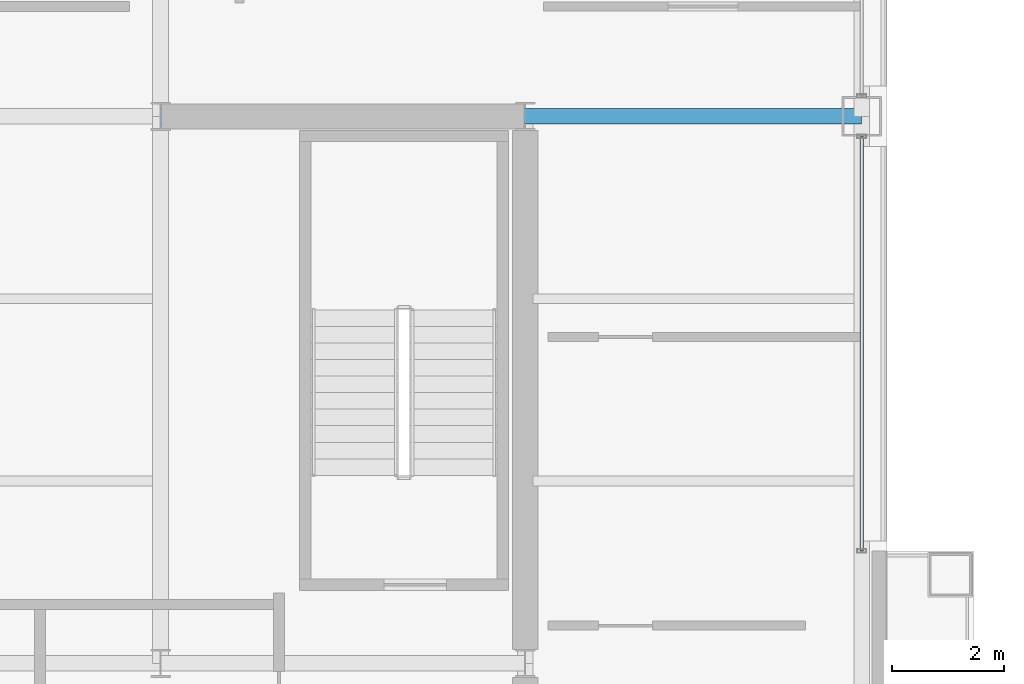
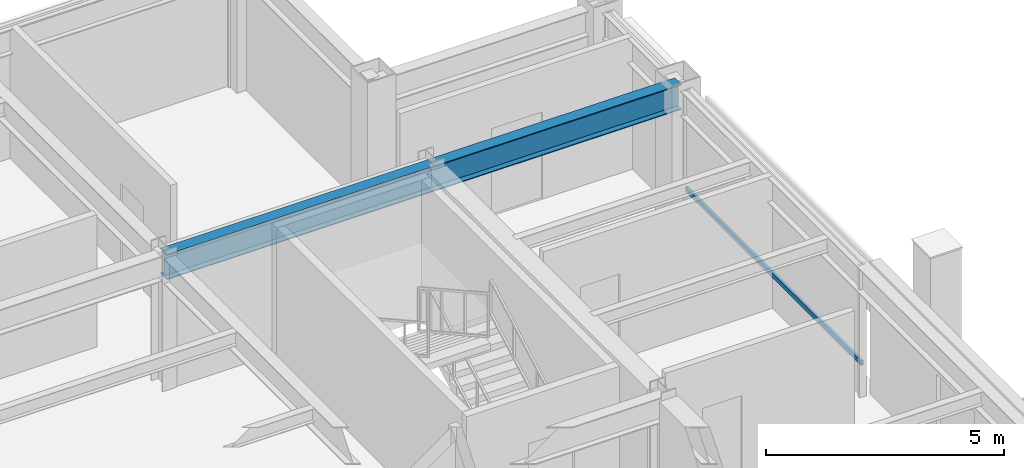
# One storey, part 17 of 30: 2 beams, 1 member, 1 element without a shape of its own.
"""IFC4 building model written with IfcOpenShell, lengths in metres."""

from ifc_helpers import new_model, si_unit, direction, frame, origin, origin_2d, place, context, subcontext, project, spatial, hollow_rectangle, i_section, extrude, material, layer, layer_set, material_profile, profile_set, type_object, element, aggregate, save


model = new_model("IFC4")

# Units and contexts
model_context = context("Model", 3, precision=1e-05, world=origin(), true_north=direction((0.0, 1.0)))
body_context = subcontext(model_context, "Body", "Model", "MODEL_VIEW")
ifc_project = project(units=[si_unit("LENGTHUNIT", "METRE"), si_unit("AREAUNIT", "SQUARE_METRE"), si_unit("VOLUMEUNIT", "CUBIC_METRE"), si_unit("PLANEANGLEUNIT", "RADIAN"), si_unit("MASSUNIT", "GRAM", prefix="KILO")], contexts=[model_context])

# Site, building, storey
site_placement = place(None, origin())
site = spatial("IfcSite", under=ifc_project, at=site_placement, CompositionType="ELEMENT")
building_placement = place(site_placement, origin())
building = spatial("IfcBuilding", under=site, at=building_placement, Name="Brelmoor Portico Tower", CompositionType="ELEMENT")
storey_placement = place(building_placement, frame((0.0, 0.0, 198.300048828125)))
storey = spatial("IfcBuildingStorey", under=building, at=storey_placement, Name="L52", CompositionType="ELEMENT", Elevation=198.300048828125)

# Beams
ifc_material_1 = material(Name="Steel Q355B", Category="steel")
ifc_material_profile_1 = material_profile(ifc_material_1, i_section(OverallWidth=0.280029296875, OverallDepth=0.64990234375, WebThickness=0.012939453125, FlangeThickness=0.02197265625, at=origin_2d()), Name="HN 650x280x13x22")
ifc_profile_set_1 = profile_set([ifc_material_profile_1], Name="Steel Q355B")
beam_type = type_object("IfcBeamType", Name="BM-PG-650", PredefinedType="BEAM", material=ifc_profile_set_1)
beam_1_placement = place(storey_placement, frame((8.050048828125, 9.75, 3.074951171875), z_axis=(1.0, 0.0, 0.0), x_axis=(0.0, 1.0, 0.0)))
element("IfcBeam", 1, at=beam_1_placement, inside=storey, type_object=beam_type, Name="L52 Primary Floor Girder PG-22", PredefinedType="BEAM", context=body_context, shape_type="SweptSolid", body=[
    extrude(i_section(OverallWidth=0.280029296875, OverallDepth=0.64990234375, WebThickness=0.012939453125, FlangeThickness=0.02197265625, at=origin_2d()), origin(), (0.0, 0.0, 1.0), 6.5),
])
beam_2_placement = place(storey_placement, frame((14.550048828125, 9.75, 3.074951171875), z_axis=(1.0, 0.0, 0.0), x_axis=(0.0, 1.0, 0.0)))
element("IfcBeam", 2, at=beam_2_placement, inside=storey, type_object=beam_type, Name="L52 Primary Floor Girder PG-23", PredefinedType="BEAM", context=body_context, shape_type="SweptSolid", body=[
    extrude(i_section(OverallWidth=0.280029296875, OverallDepth=0.64990234375, WebThickness=0.012939453125, FlangeThickness=0.02197265625, at=origin_2d()), origin(), (0.0, 0.0, 1.0), 6.0),
])

# Curtain wall, member
ifc_material_2 = material(Name="Anodised Aluminium Alloy 6063-T6", Category="aluminium")
ifc_layer = layer(ifc_material_2, 0.179931640625)
ifc_layer_set = layer_set([ifc_layer], Name="Anodised Aluminium Alloy 6063-T6")
curtain_wall_type = type_object("IfcCurtainWallType", Name="CW-TOWER-Z3", PredefinedType="NOTDEFINED", material=ifc_layer_set)
curtain_wall_placement = place(storey_placement, origin())
curtain_wall = element("IfcCurtainWall", 3, at=curtain_wall_placement, inside=storey, type_object=curtain_wall_type, Name="L52 Curtain Wall CW-L52-4R-1", PredefinedType="NOTDEFINED")
ifc_material_profile_2 = material_profile(ifc_material_2, hollow_rectangle(XDim=0.06005859375, YDim=0.125, WallThickness=0.00341796875, at=origin_2d()), Name="ALU TRANSOM 60x125")
ifc_profile_set_2 = profile_set([ifc_material_profile_2], Name="Anodised Aluminium Alloy 6063-T6")
member_type = type_object("IfcMemberType", Name="MB-CW-TRAN-125", PredefinedType="USERDEFINED", material=ifc_profile_set_2)
member_placement = place(storey_placement, frame((20.550048828125, 2.0, 0.849853515625), z_axis=(0.0, 1.0, 0.0), x_axis=(-1.0, 0.0, 0.0)))
member = element("IfcMember", 4, at=member_placement, type_object=member_type, Name="CW-L52-4R-1 Transom 1-00", ObjectType="TRANSOM", PredefinedType="USERDEFINED", context=body_context, shape_type="SweptSolid", body=[
    extrude(hollow_rectangle(XDim=0.06005859375, YDim=0.125, WallThickness=0.00341796875, at=origin_2d()), origin(), (0.0, 0.0, 1.0), 7.389892578125),
])
aggregate(curtain_wall, [member])

save(model, "model.ifc")
